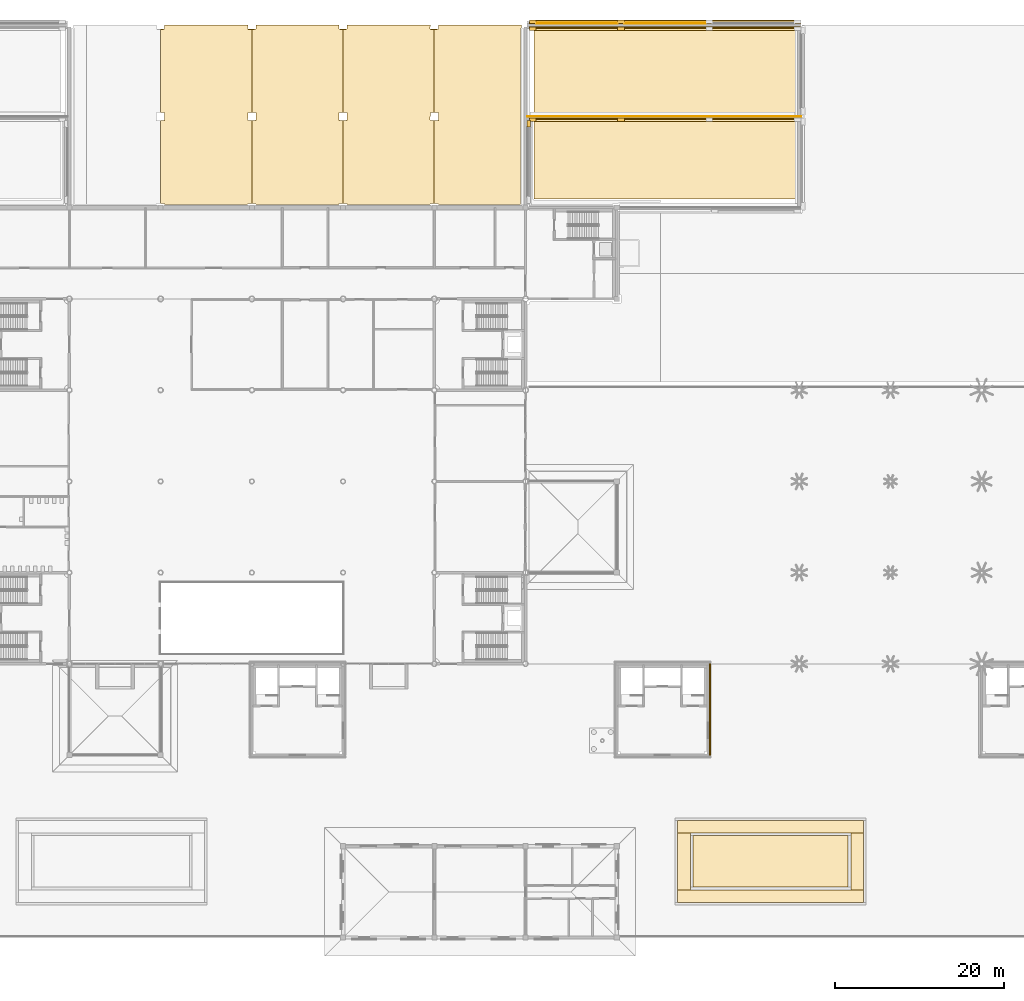
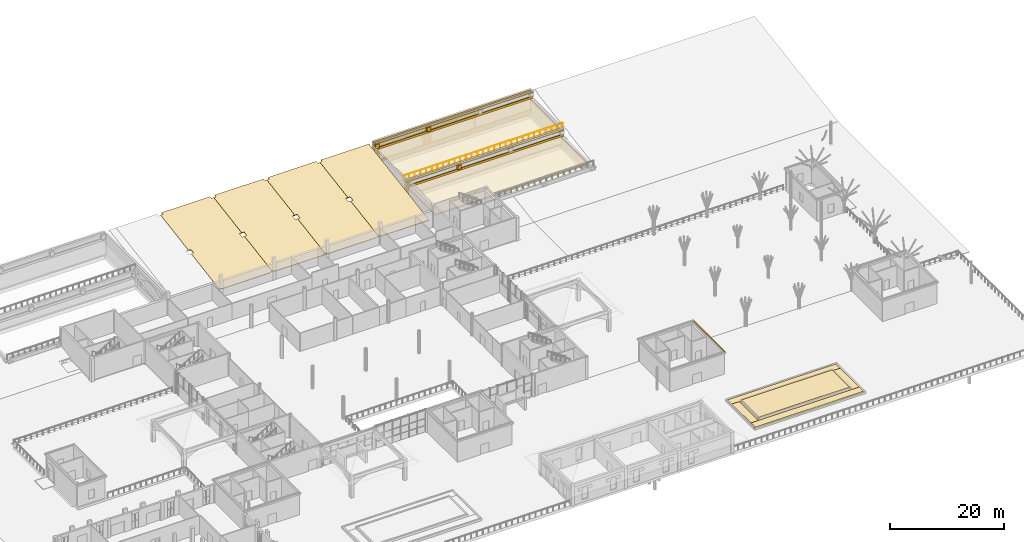
# One storey, part 87 of 91: 28 coverings, 1 railing.
"""IFC4 building model written with IfcOpenShell, lengths in metres."""

from ifc_helpers import new_model, si_unit, direction, frame, origin, origin_2d, place, context, subcontext, project, spatial, polyline, rectangle, circle, outline, extrude, material, layer, layer_set, type_object, element, save


model = new_model("IFC4")

# Units and contexts
model_context = context("Model", 3, precision=1e-05, world=origin(), true_north=direction((0.0, 1.0)))
body_context = subcontext(model_context, "Body", "Model", "MODEL_VIEW")
ifc_project = project(units=[si_unit("LENGTHUNIT", "METRE"), si_unit("AREAUNIT", "SQUARE_METRE"), si_unit("VOLUMEUNIT", "CUBIC_METRE"), si_unit("PLANEANGLEUNIT", "RADIAN"), si_unit("MASSUNIT", "GRAM", prefix="KILO")], contexts=[model_context])

# Site, building, storey
site_placement = place(None, origin())
site = spatial("IfcSite", under=ifc_project, at=site_placement, CompositionType="ELEMENT")
building_placement = place(site_placement, origin())
building = spatial("IfcBuilding", under=site, at=building_placement, Name="Magnolia Steps Interchange", CompositionType="ELEMENT")
storey_placement = place(building_placement, origin())
storey = spatial("IfcBuildingStorey", under=building, at=storey_placement, Name="L00", CompositionType="ELEMENT", Elevation=0.0)

# Coverings
ifc_material_1 = material(Name="Lime render")
ifc_layer_1 = layer(ifc_material_1, 0.080078125)
ifc_layer_set_1 = layer_set([ifc_layer_1], Name="Lime render arch infill")
covering_type_1 = type_object("IfcCoveringType", Name="Lime render arch infill", PredefinedType="CLADDING", material=ifc_layer_set_1)
covering_1_placement = place(storey_placement, frame((119.800048828125, 118.199951171875, 0.5), z_axis=(0.0, -1.0, 0.0), x_axis=(0.0, 0.0, 1.0)))
element("IfcCovering", 1, at=covering_1_placement, inside=storey, type_object=covering_type_1, Name="Blind arch terrace street wall E 1.1", PredefinedType="CLADDING", context=body_context, shape_type="SweptSolid", body=[
    extrude(outline(polyline([(0.0, 0.0), (1.800048828, 0.0), (2.093994141, -0.474853516), (2.342773438, -0.949951172), (2.551513672, -1.425048828), (2.723388672, -1.899902344), (2.861083984, -2.375), (2.966552734, -2.849853516), (3.041015625, -3.324951172), (3.085205078, -3.800048828), (3.100097656, -4.274902344), (3.085205078, -4.75), (3.041015625, -5.224853516), (2.966552734, -5.699951172), (2.861083984, -6.175048828), (2.723388672, -6.649902344), (2.551513672, -7.125), (2.342773438, -7.599853516), (2.093994141, -8.074951172), (1.800048828, -8.550048828), (0.0, -8.550048828), (0.0, -9.099853516), (3.649902344, -9.099853516), (3.649902344, 0.550048828), (0.0, 0.550048828), (0.0, 0.0)])), origin(), (0.0, 0.0, -1.0), 0.080078125),
])
covering_2_placement = place(storey_placement, frame((130.25, 118.199951171875, 0.5), z_axis=(0.0, -1.0, 0.0), x_axis=(0.0, 0.0, 1.0)))
element("IfcCovering", 2, at=covering_2_placement, inside=storey, type_object=covering_type_1, Name="Blind arch terrace street wall E 1.2", PredefinedType="CLADDING", context=body_context, shape_type="SweptSolid", body=[
    extrude(outline(polyline([(0.0, 0.0), (1.800048828, 0.0), (2.093994141, -0.475097656), (2.342773438, -0.949951172), (2.551513672, -1.425048828), (2.723388672, -1.899902344), (2.861083984, -2.375), (2.966552734, -2.850097656), (3.041015625, -3.324951172), (3.085205078, -3.800048828), (3.100097656, -4.274902344), (3.085205078, -4.75), (3.041015625, -5.225097656), (2.966552734, -5.699951172), (2.861083984, -6.175048828), (2.723388672, -6.649902344), (2.551513672, -7.125), (2.342773438, -7.600097656), (2.093994141, -8.074951172), (1.800048828, -8.550048828), (0.0, -8.550048828), (0.0, -9.100097656), (3.649902344, -9.100097656), (3.649902344, 0.550048828), (0.0, 0.550048828), (0.0, 0.0)])), origin(), (0.0, 0.0, -1.0), 0.080078125),
])
ifc_material_2 = material(Name="Lime render")
ifc_layer_2 = layer(ifc_material_2, 0.1201171875)
ifc_layer_set_2 = layer_set([ifc_layer_2], Name="Lime render band")
covering_type_2 = type_object("IfcCoveringType", Name="Lime render band", PredefinedType="CLADDING", material=ifc_layer_set_2)
covering_3_placement = place(storey_placement, frame((134.52490234375, 106.925048828125, 1.60009765625), z_axis=(0.0, 0.0, 1.0), x_axis=(1.0, 0.0, 0.0)))
element("IfcCovering", 3, at=covering_3_placement, inside=storey, type_object=covering_type_2, Name="Plinth course terrace wall E 2 1", PredefinedType="CLADDING", context=body_context, shape_type="SweptSolid", body=[
    extrude(rectangle(XDim=32.14990234375, YDim=0.14990234375, at=origin_2d()), origin(), (0.0, 0.0, 1.0), 0.5),
])
covering_4_placement = place(storey_placement, frame((134.52490234375, 106.7900390625, 3.0), z_axis=(0.0, 0.0, 1.0), x_axis=(1.0, 0.0, 0.0)))
element("IfcCovering", 4, at=covering_4_placement, inside=storey, type_object=covering_type_2, Name="Coping terrace wall E 2 1", PredefinedType="CLADDING", context=body_context, shape_type="SweptSolid", body=[
    extrude(rectangle(XDim=32.14990234375, YDim=0.419921875, at=origin_2d()), origin(), (0.0, 0.0, 1.0), 0.199951171875),
])
covering_5_placement = place(storey_placement, frame((134.52490234375, 117.72509765625, 3.199951171875), z_axis=(0.0, 0.0, 1.0), x_axis=(1.0, 0.0, 0.0)))
element("IfcCovering", 5, at=covering_5_placement, inside=storey, type_object=covering_type_2, Name="Plinth course terrace wall E 3 1", PredefinedType="CLADDING", context=body_context, shape_type="SweptSolid", body=[
    extrude(rectangle(XDim=32.14990234375, YDim=0.14990234375, at=origin_2d()), origin(), (0.0, 0.0, 1.0), 0.5),
])
covering_6_placement = place(storey_placement, frame((134.52490234375, 117.590087890625, 4.60009765625), z_axis=(0.0, 0.0, 1.0), x_axis=(1.0, 0.0, 0.0)))
element("IfcCovering", 6, at=covering_6_placement, inside=storey, type_object=covering_type_2, Name="Coping terrace wall E 3 1", PredefinedType="CLADDING", context=body_context, shape_type="SweptSolid", body=[
    extrude(rectangle(XDim=32.14990234375, YDim=0.419921875, at=origin_2d()), origin(), (0.0, 0.0, 1.0), 0.199951171875),
])
covering_7_placement = place(storey_placement, frame((134.52490234375, 118.27490234375, 0.0), z_axis=(0.0, 0.0, 1.0), x_axis=(1.0, 0.0, 0.0)))
element("IfcCovering", 7, at=covering_7_placement, inside=storey, type_object=covering_type_2, Name="Plinth course terrace street wall E 1", PredefinedType="CLADDING", context=body_context, shape_type="SweptSolid", body=[
    extrude(rectangle(XDim=32.14990234375, YDim=0.14990234375, at=origin_2d()), origin(), (0.0, 0.0, 1.0), 0.5),
])
covering_8_placement = place(storey_placement, frame((134.52490234375, 118.375, 4.14990234375), z_axis=(0.0, 0.0, 1.0), x_axis=(1.0, 0.0, 0.0)))
element("IfcCovering", 8, at=covering_8_placement, inside=storey, type_object=covering_type_2, Name="Cornice terrace street wall E 1", PredefinedType="CLADDING", context=body_context, shape_type="SweptSolid", body=[
    extrude(rectangle(XDim=32.14990234375, YDim=0.35009765625, at=origin_2d()), origin(), (0.0, 0.0, 1.0), 0.449951171875),
])
covering_9_placement = place(storey_placement, frame((134.52490234375, 118.409912109375, 4.60009765625), z_axis=(0.0, 0.0, 1.0), x_axis=(1.0, 0.0, 0.0)))
element("IfcCovering", 9, at=covering_9_placement, inside=storey, type_object=covering_type_2, Name="Coping terrace street wall E 1", PredefinedType="CLADDING", context=body_context, shape_type="SweptSolid", body=[
    extrude(rectangle(XDim=32.14990234375, YDim=0.419921875, at=origin_2d()), origin(), (0.0, 0.0, 1.0), 0.199951171875),
])
ifc_material_3 = material(Name="Lime render")
ifc_layer_3 = layer(ifc_material_3, 0.199951171875)
ifc_layer_set_3 = layer_set([ifc_layer_3], Name="Lime render cornice")
covering_type_3 = type_object("IfcCoveringType", Name="Lime render cornice", PredefinedType="CLADDING", material=ifc_layer_set_3)
covering_10_placement = place(storey_placement, frame((139.824951171875, 37.0, 4.5), z_axis=(0.0, 0.0, 1.0), x_axis=(1.0, 0.0, 0.0)))
element("IfcCovering", 10, at=covering_10_placement, inside=storey, type_object=covering_type_3, Name="Cornice BC3 E", PredefinedType="CLADDING", context=body_context, shape_type="SweptSolid", body=[
    extrude(rectangle(XDim=0.199951171875, YDim=10.800048828125, at=origin_2d()), origin(), (0.0, 0.0, 1.0), 0.300048828125),
])
ifc_material_4 = material(Name="Lime render")
ifc_layer_4 = layer(ifc_material_4, 0.39990234375)
ifc_layer_set_4 = layer_set([ifc_layer_4], Name="Lime render pilaster")
covering_type_4 = type_object("IfcCoveringType", Name="Lime render pilaster", PredefinedType="CLADDING", material=ifc_layer_set_4)
covering_11_placement = place(storey_placement, frame((118.39990234375, 106.35009765625, 0.5), z_axis=(0.0, 0.0, 1.0), x_axis=(1.0, 0.0, 0.0)))
element("IfcCovering", 11, at=covering_11_placement, inside=storey, type_object=covering_type_4, Name="Pilaster retaining wall east 1.2", PredefinedType="CLADDING", context=body_context, shape_type="SweptSolid", body=[
    extrude(rectangle(XDim=0.39990234375, YDim=0.800048828125, at=origin_2d()), origin(), (0.0, 0.0, 1.0), 3.25),
])
for number, where, z_axis, x_axis, name in (
    (12, (118.85009765625, 106.800048828125, 2.10009765625), (0.0, 0.0, 1.0), (1.0, 0.0, 0.0), "Pilaster terrace wall E 2 1.1"),
    (13, (129.300048828125, 106.800048828125, 2.10009765625), (0.0, 0.0, 1.0), (1.0, 0.0, 0.0), "Pilaster terrace wall E 2 1.2"),
    (14, (118.85009765625, 117.60009765625, 3.699951171875), (0.0, 0.0, 1.0), (1.0, 0.0, 0.0), "Pilaster terrace wall E 3 1.1"),
    (15, (129.300048828125, 117.60009765625, 3.699951171875), (0.0, 0.0, 1.0), (1.0, 0.0, 0.0), "Pilaster terrace wall E 3 1.2"),
):
    element("IfcCovering", number, at=place(storey_placement, frame(where, z_axis=z_axis, x_axis=x_axis)), inside=storey, type_object=covering_type_4, Name=name, PredefinedType="CLADDING", context=body_context, shape_type="SweptSolid", body=[
        extrude(rectangle(XDim=0.800048828125, YDim=0.39990234375, at=origin_2d()), origin(), (0.0, 0.0, 1.0), 0.89990234375),
    ])
for number, where, z_axis, x_axis, name in (
    (16, (118.85009765625, 118.39990234375, 0.5), (0.0, 0.0, 1.0), (1.0, 0.0, 0.0), "Pilaster terrace street wall E 1.1"),
    (17, (129.300048828125, 118.39990234375, 0.5), (0.0, 0.0, 1.0), (1.0, 0.0, 0.0), "Pilaster terrace street wall E 1.2"),
):
    element("IfcCovering", number, at=place(storey_placement, frame(where, z_axis=z_axis, x_axis=x_axis)), inside=storey, type_object=covering_type_4, Name=name, PredefinedType="CLADDING", context=body_context, shape_type="SweptSolid", body=[
        extrude(rectangle(XDim=0.800048828125, YDim=0.39990234375, at=origin_2d()), origin(), (0.0, 0.0, 1.0), 3.64990234375),
    ])
ifc_material_5 = material(Name="Topsoil and turf on compacted fill")
ifc_layer_5 = layer(ifc_material_5, 0.14990234375)
ifc_layer_set_5 = layer_set([ifc_layer_5], Name="Planted bank 150")
covering_type_5 = type_object("IfcCoveringType", Name="Planted bank 150", PredefinedType="FLOORING", material=ifc_layer_set_5)
covering_12_placement = place(storey_placement, frame((85.589111328125, 96.899169921875, 1.35498046875), z_axis=(2.47231e-07, -0.161136326207, 0.98693215794), x_axis=(-0.99999827492, 0.001833147247, 0.000299548293)))
element("IfcCovering", 18, at=covering_12_placement, inside=storey, type_object=covering_type_5, Name="Planted bank north centre 3", PredefinedType="FLOORING", context=body_context, shape_type="SweptSolid", body=[
    extrude(outline(polyline([(0.0, 0.0), (0.389160828, 0.0), (0.47208537, 0.044906957), (0.488732065, 0.152062648), (10.288763987, 0.170265847), (10.369609154, 0.020264311), (10.797832935, 0.020056578), (10.816303343, -9.923831686), (10.336842325, -9.94105775), (10.338614061, -10.894905018), (10.818105421, -10.894014381), (10.836629581, -20.866841231), (10.357168563, -20.884067295), (10.358054468, -21.361010599), (0.510659346, -21.379301774), (0.520332603, -20.935250773), (0.427931378, -20.872848951), (0.038796646, -20.886897809), (0.020272486, -10.914070959), (0.47998849, -10.913217053), (0.500006291, -9.992201888), (0.407605067, -9.929800066), (0.018470407, -9.943888264), (0.0, 0.0)])), origin(), (0.0, 0.0, -1.0), 0.14990234375),
])
covering_13_placement = place(storey_placement, frame((96.38916015625, 96.899169921875, 1.35498046875), z_axis=(2.81241e-07, -0.161136320365, 0.986932158894), x_axis=(-0.999998274919, 0.00183314177, 0.000299581848)))
element("IfcCovering", 19, at=covering_13_placement, inside=storey, type_object=covering_type_5, Name="Planted bank north centre 4", PredefinedType="FLOORING", context=body_context, shape_type="SweptSolid", body=[
    extrude(outline(polyline([(0.0, 0.0), (0.389160828, 0.0), (0.47208537, 0.044906957), (0.488976205, 0.152063101), (10.288763987, 0.170265847), (10.369609154, 0.020264311), (10.800030197, 0.02006066), (10.818500605, -9.923827605), (10.336842325, -9.94105775), (10.338614061, -10.894905018), (10.820302683, -10.894010299), (10.838826843, -20.86683715), (10.357168563, -20.884067295), (10.358054468, -21.361010599), (0.508462084, -21.379305855), (0.516165669, -20.926348249), (0.427931378, -20.872848951), (0.038796646, -20.886897809), (0.020272486, -10.914070959), (0.48023263, -10.9132166), (0.500006291, -9.992201888), (0.407605067, -9.929800066), (0.018470407, -9.943888264), (0.0, 0.0)])), origin(), (0.0, 0.0, -1.0), 0.14990234375),
])
covering_14_placement = place(storey_placement, frame((107.189208984375, 96.899169921875, 1.35498046875), z_axis=(2.81241e-07, -0.161136320364, 0.986932158894), x_axis=(-0.999998274919, 0.00183314177, 0.000299581848)))
element("IfcCovering", 20, at=covering_14_placement, inside=storey, type_object=covering_type_5, Name="Planted bank north centre 5", PredefinedType="FLOORING", context=body_context, shape_type="SweptSolid", body=[
    extrude(outline(polyline([(0.0, 0.0), (0.389160828, 0.0), (0.47232951, 0.04490741), (0.488976205, 0.152063101), (10.289008127, 0.170266301), (10.369609154, 0.020264311), (10.800030197, 0.02006066), (10.818500605, -9.923827605), (10.337086465, -9.941057297), (10.338858201, -10.894904565), (10.820302683, -10.894010299), (10.838826843, -20.86683715), (10.357412703, -20.884066842), (10.358298608, -21.361010146), (0.508706225, -21.379305402), (0.516165669, -20.926348249), (0.427931378, -20.872848951), (0.038796646, -20.886897809), (0.020272486, -10.914070959), (0.48023263, -10.9132166), (0.500250431, -9.992201435), (0.407605067, -9.929800066), (0.018470407, -9.943888264), (0.0, 0.0)])), origin(), (0.0, 0.0, -1.0), 0.14990234375),
])
covering_15_placement = place(storey_placement, frame((117.5, 117.699951171875, 4.7509765625), z_axis=(5.046874e-06, -0.161136273222, 0.986932166578), x_axis=(-0.703278711245, -0.701624701451, -0.114550567974)))
element("IfcCovering", 21, at=covering_15_placement, inside=storey, type_object=covering_type_5, Name="Planted bank north centre 6", PredefinedType="FLOORING", context=body_context, shape_type="SweptSolid", body=[
    extrude(outline(polyline([(0.0, 0.0), (0.142329996, 0.0), (15.161209713, 14.857570438), (21.982978872, 7.961737038), (21.932894711, 7.798862919), (22.234715033, 7.492339343), (15.165451086, 0.499002356), (14.81524774, 0.829780306), (14.137142966, 0.158958671), (14.475733205, -0.183307656), (7.38589637, -7.19699657), (7.035693024, -6.86621862), (6.696626653, -7.201643271), (-0.228161849, -0.201672044), (0.0, 0.0)])), origin(), (0.0, 0.0, -1.0), 0.14990234375),
])
ifc_material_6 = material(Name="Planting soil")
ifc_layer_6 = layer(ifc_material_6, 0.449951171875)
ifc_layer_set_6 = layer_set([ifc_layer_6], Name="Planting soil 450")
covering_type_6 = type_object("IfcCoveringType", Name="Planting soil 450", PredefinedType="FLOORING", material=ifc_layer_set_6)
for number, where, z_axis, x_axis, name in (
    (22, (147.0, 14.89990234375, 0.0), (0.0, 0.0, 1.0), (1.0, 0.0, 0.0), "Forecourt garden bed 2 terrace soil south"),
    (23, (147.0, 23.10009765625, 0.0), (0.0, 0.0, 1.0), (1.0, 0.0, 0.0), "Forecourt garden bed 2 terrace soil north"),
):
    element("IfcCovering", number, at=place(storey_placement, frame(where, z_axis=z_axis, x_axis=x_axis)), inside=storey, type_object=covering_type_6, Name=name, PredefinedType="FLOORING", context=body_context, shape_type="SweptSolid", body=[
        extrude(rectangle(XDim=22.0, YDim=1.5, at=origin_2d()), origin(), (0.0, 0.0, 1.0), 0.39990234375),
    ])
for number, where, z_axis, x_axis, name in (
    (24, (136.75, 19.0, 0.0), (0.0, 0.0, 1.0), (1.0, 0.0, 0.0), "Forecourt garden bed 2 terrace soil west"),
    (25, (157.25, 19.0, 0.0), (0.0, 0.0, 1.0), (1.0, 0.0, 0.0), "Forecourt garden bed 2 terrace soil east"),
):
    element("IfcCovering", number, at=place(storey_placement, frame(where, z_axis=z_axis, x_axis=x_axis)), inside=storey, type_object=covering_type_6, Name=name, PredefinedType="FLOORING", context=body_context, shape_type="SweptSolid", body=[
        extrude(rectangle(XDim=1.5, YDim=6.699951171875, at=origin_2d()), origin(), (0.0, 0.0, 1.0), 0.39990234375),
    ])
covering_16_placement = place(storey_placement, frame((147.0, 19.0, 0.0), z_axis=(0.0, 0.0, 1.0), x_axis=(1.0, 0.0, 0.0)))
element("IfcCovering", 26, at=covering_16_placement, inside=storey, type_object=covering_type_6, Name="Forecourt garden bed 2 inner bed soil", PredefinedType="FLOORING", context=body_context, shape_type="SweptSolid", body=[
    extrude(rectangle(XDim=18.39990234375, YDim=6.10009765625, at=origin_2d()), origin(), (0.0, 0.0, 1.0), 0.85009765625),
])
covering_17_placement = place(storey_placement, frame((134.5, 102.199951171875, 1.2998046875), z_axis=(0.0, 0.0, 1.0), x_axis=(1.0, 0.0, 0.0)))
element("IfcCovering", 27, at=covering_17_placement, inside=storey, type_object=covering_type_6, Name="Terrace planting bed E 1", PredefinedType="FLOORING", context=body_context, shape_type="SweptSolid", body=[
    extrude(rectangle(XDim=31.0, YDim=9.60009765625, at=origin_2d()), origin(), (0.0, 0.0, 1.0), 0.300048828125),
])
covering_18_placement = place(storey_placement, frame((134.5, 112.60009765625, 2.89990234375), z_axis=(0.0, 0.0, 1.0), x_axis=(1.0, 0.0, 0.0)))
element("IfcCovering", 28, at=covering_18_placement, inside=storey, type_object=covering_type_6, Name="Terrace planting bed E 2", PredefinedType="FLOORING", context=body_context, shape_type="SweptSolid", body=[
    extrude(rectangle(XDim=31.0, YDim=10.39990234375, at=origin_2d()), origin(), (0.0, 0.0, 1.0), 0.300048828125),
])

# Railing
ifc_material_7 = material(Name="Painted steel Q355B", Category="steel")
railing_type = type_object("IfcRailingType", Name="Steel balustrade guard 1100", PredefinedType="GUARDRAIL", material=ifc_material_7)
railing_placement = place(storey_placement, frame((150.60009765625, 107.199951171875, 3.199951171875)))
element("IfcRailing", 29, at=railing_placement, inside=storey, type_object=railing_type, Name="Terrace guard E 2", PredefinedType="GUARDRAIL", context=body_context, shape_type="SweptSolid", body=[
    extrude(circle(Radius=0.030029296875, at=origin_2d()), frame((0.0, 0.0, 1.070068359375), z_axis=(-1.0, 0.0, 0.0), x_axis=(0.0, -1.0, 0.0)), (0.0, 0.0, 1.0), 32.400146484375),
    extrude(circle(Radius=0.02001953125, at=origin_2d()), origin(), (0.0, 0.0, 1.0), 1.0400390625),
    extrude(circle(Radius=0.02001953125, at=origin_2d()), frame((-1.1572265625, 0.0, 0.0)), (0.0, 0.0, 1.0), 1.0400390625),
    extrude(circle(Radius=0.02001953125, at=origin_2d()), frame((-2.314208984375, 0.0, 0.0)), (0.0, 0.0, 1.0), 1.0400390625),
    extrude(circle(Radius=0.02001953125, at=origin_2d()), frame((-3.471435546875, 0.0, 0.0)), (0.0, 0.0, 1.0), 1.0400390625),
    extrude(circle(Radius=0.02001953125, at=origin_2d()), frame((-4.628662109375, 0.0, 0.0)), (0.0, 0.0, 1.0), 1.0400390625),
    extrude(circle(Radius=0.02001953125, at=origin_2d()), frame((-5.78564453125, 0.0, 0.0)), (0.0, 0.0, 1.0), 1.0400390625),
    extrude(circle(Radius=0.02001953125, at=origin_2d()), frame((-6.94287109375, 0.0, 0.0)), (0.0, 0.0, 1.0), 1.0400390625),
    extrude(circle(Radius=0.02001953125, at=origin_2d()), frame((-8.10009765625, 0.0, 0.0)), (0.0, 0.0, 1.0), 1.0400390625),
    extrude(circle(Radius=0.02001953125, at=origin_2d()), frame((-9.257080078125, 0.0, 0.0)), (0.0, 0.0, 1.0), 1.0400390625),
    extrude(circle(Radius=0.02001953125, at=origin_2d()), frame((-10.414306640625, 0.0, 0.0)), (0.0, 0.0, 1.0), 1.0400390625),
    extrude(circle(Radius=0.02001953125, at=origin_2d()), frame((-11.571533203125, 0.0, 0.0)), (0.0, 0.0, 1.0), 1.0400390625),
    extrude(circle(Radius=0.02001953125, at=origin_2d()), frame((-12.728515625, 0.0, 0.0)), (0.0, 0.0, 1.0), 1.0400390625),
    extrude(circle(Radius=0.02001953125, at=origin_2d()), frame((-13.8857421875, 0.0, 0.0)), (0.0, 0.0, 1.0), 1.0400390625),
    extrude(circle(Radius=0.02001953125, at=origin_2d()), frame((-15.04296875, 0.0, 0.0)), (0.0, 0.0, 1.0), 1.0400390625),
    extrude(circle(Radius=0.02001953125, at=origin_2d()), frame((-16.2001953125, 0.0, 0.0)), (0.0, 0.0, 1.0), 1.0400390625),
    extrude(circle(Radius=0.02001953125, at=origin_2d()), frame((-17.357177734375, 0.0, 0.0)), (0.0, 0.0, 1.0), 1.0400390625),
    extrude(circle(Radius=0.02001953125, at=origin_2d()), frame((-18.514404296875, 0.0, 0.0)), (0.0, 0.0, 1.0), 1.0400390625),
    extrude(circle(Radius=0.02001953125, at=origin_2d()), frame((-19.671630859375, 0.0, 0.0)), (0.0, 0.0, 1.0), 1.0400390625),
    extrude(circle(Radius=0.02001953125, at=origin_2d()), frame((-20.82861328125, 0.0, 0.0)), (0.0, 0.0, 1.0), 1.0400390625),
    extrude(circle(Radius=0.02001953125, at=origin_2d()), frame((-21.98583984375, 0.0, 0.0)), (0.0, 0.0, 1.0), 1.0400390625),
    extrude(circle(Radius=0.02001953125, at=origin_2d()), frame((-23.14306640625, 0.0, 0.0)), (0.0, 0.0, 1.0), 1.0400390625),
    extrude(circle(Radius=0.02001953125, at=origin_2d()), frame((-24.300048828125, 0.0, 0.0)), (0.0, 0.0, 1.0), 1.0400390625),
    extrude(circle(Radius=0.02001953125, at=origin_2d()), frame((-25.457275390625, 0.0, 0.0)), (0.0, 0.0, 1.0), 1.0400390625),
    extrude(circle(Radius=0.02001953125, at=origin_2d()), frame((-26.614501953125, 0.0, 0.0)), (0.0, 0.0, 1.0), 1.0400390625),
    extrude(circle(Radius=0.02001953125, at=origin_2d()), frame((-27.771484375, 0.0, 0.0)), (0.0, 0.0, 1.0), 1.0400390625),
    extrude(circle(Radius=0.02001953125, at=origin_2d()), frame((-28.9287109375, 0.0, 0.0)), (0.0, 0.0, 1.0), 1.0400390625),
    extrude(circle(Radius=0.02001953125, at=origin_2d()), frame((-30.0859375, 0.0, 0.0)), (0.0, 0.0, 1.0), 1.0400390625),
    extrude(circle(Radius=0.02001953125, at=origin_2d()), frame((-31.242919921875, 0.0, 0.0)), (0.0, 0.0, 1.0), 1.0400390625),
    extrude(circle(Radius=0.02001953125, at=origin_2d()), frame((-32.400146484375, 0.0, 0.0)), (0.0, 0.0, 1.0), 1.0400390625),
])

save(model, "model.ifc")
